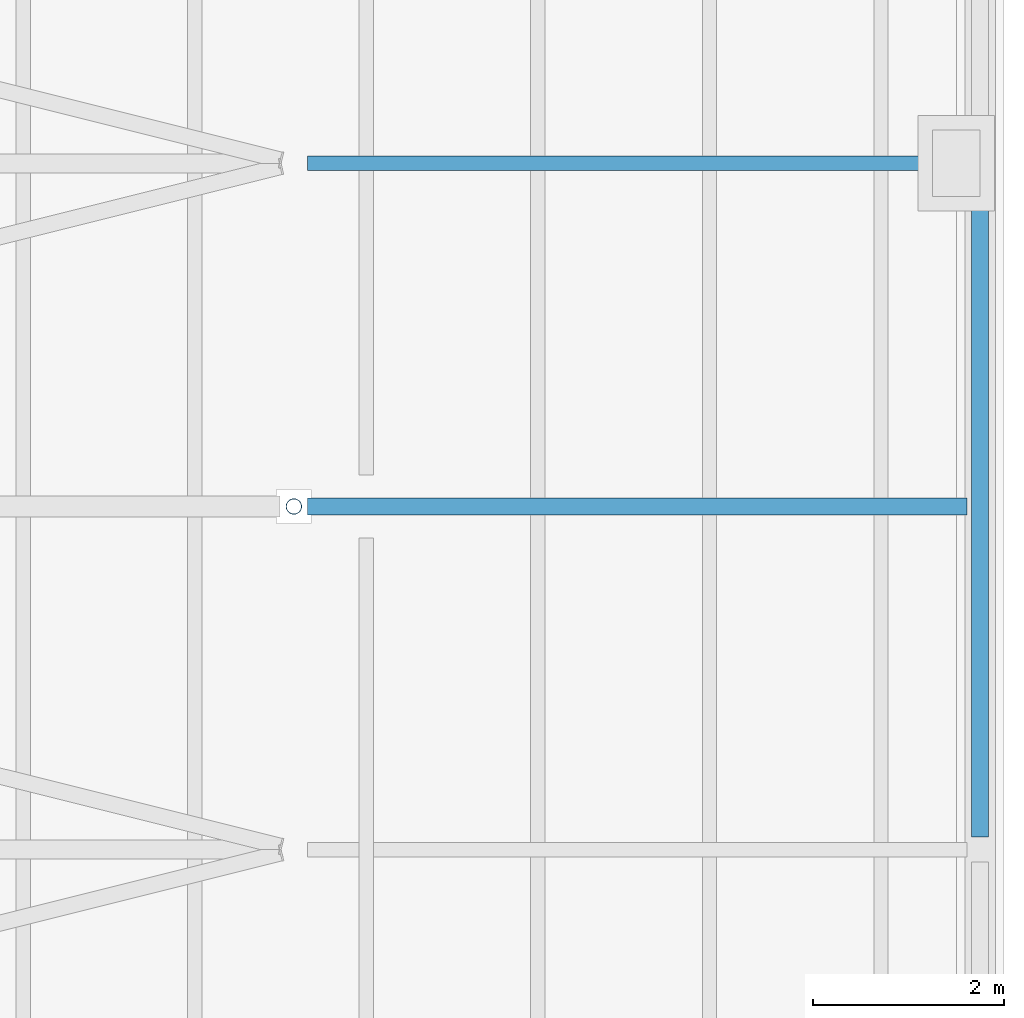
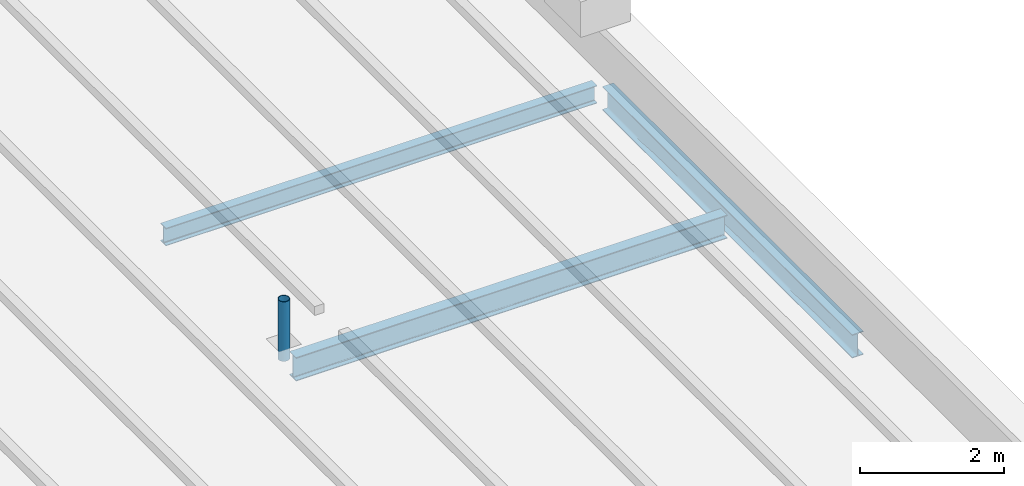
# One storey, part 56 of 120: 3 beams, 1 member.
"""IFC4 building model written with IfcOpenShell, lengths in metres."""

from ifc_helpers import new_model, si_unit, direction, frame, origin, origin_2d, place, context, subcontext, project, spatial, hollow_circle, i_section, extrude, material, material_profile, profile_set, type_object, element, save


model = new_model("IFC4")

# Units and contexts
model_context = context("Model", 3, precision=1e-05, world=origin(), true_north=direction((0.0, 1.0)))
body_context = subcontext(model_context, "Body", "Model", "MODEL_VIEW")
ifc_project = project(units=[si_unit("LENGTHUNIT", "METRE"), si_unit("AREAUNIT", "SQUARE_METRE"), si_unit("VOLUMEUNIT", "CUBIC_METRE"), si_unit("PLANEANGLEUNIT", "RADIAN"), si_unit("MASSUNIT", "GRAM", prefix="KILO")], contexts=[model_context])

# Site, building, storey
site_placement = place(None, origin())
site = spatial("IfcSite", under=ifc_project, at=site_placement, CompositionType="ELEMENT")
building_placement = place(site_placement, origin())
building = spatial("IfcBuilding", under=site, at=building_placement, Name="Kupolbacken Congress Centre", CompositionType="ELEMENT")
storey_placement = place(building_placement, frame((0.0, 0.0, 21.60009765625)))
storey = spatial("IfcBuildingStorey", under=building, at=storey_placement, Name="L06", CompositionType="ELEMENT", Elevation=21.60009765625)

# Beams
ifc_material_1 = material(Name="Steel S355", Category="steel")
ifc_material_profile_1 = material_profile(ifc_material_1, i_section(OverallWidth=0.14990234375, OverallDepth=0.300048828125, WebThickness=0.007080078125, FlangeThickness=0.0107421875, FilletRadius=0.014892578125, at=origin_2d()), Name="IPE 300")
ifc_profile_set_1 = profile_set([ifc_material_profile_1], Name="Steel S355")
beam_type_1 = type_object("IfcBeamType", Name="B04 beam IPE 300", PredefinedType="BEAM", material=ifc_profile_set_1)
beam_1_placement = place(storey_placement, frame((194.544921875, 100.800048828125, -0.150146484375), z_axis=(1.0, 0.0, 0.0), x_axis=(0.0, 1.0, 0.0)))
element("IfcBeam", 1, at=beam_1_placement, inside=storey, type_object=beam_type_1, Name="HR/P16-08", PredefinedType="BEAM", context=body_context, shape_type="SweptSolid", body=[
    extrude(i_section(OverallWidth=0.14990234375, OverallDepth=0.300048828125, WebThickness=0.007080078125, FlangeThickness=0.0107421875, FilletRadius=0.014892578125, at=origin_2d()), origin(), (0.0, 0.0, 1.0), 6.9150390625),
])
ifc_material_2 = material(Name="Steel S355", Category="steel")
ifc_material_profile_2 = material_profile(ifc_material_2, i_section(OverallWidth=0.179931640625, OverallDepth=0.39990234375, WebThickness=0.008544921875, FlangeThickness=0.013427734375, FilletRadius=0.02099609375, at=origin_2d()), Name="IPE 400")
ifc_profile_set_2 = profile_set([ifc_material_profile_2], Name="Steel S355")
beam_type_2 = type_object("IfcBeamType", Name="B07 beam IPE 400", PredefinedType="BEAM", material=ifc_profile_set_2)
beam_2_placement = place(storey_placement, frame((201.60009765625, 93.72998046875, -0.2001953125), z_axis=(0.0, 1.0, 0.0), x_axis=(-1.0, 0.0, 0.0)))
element("IfcBeam", 2, at=beam_2_placement, inside=storey, type_object=beam_type_2, Name="HR/GE08", PredefinedType="BEAM", context=body_context, shape_type="SweptSolid", body=[
    extrude(i_section(OverallWidth=0.179931640625, OverallDepth=0.39990234375, WebThickness=0.008544921875, FlangeThickness=0.013427734375, FilletRadius=0.02099609375, at=origin_2d()), origin(), (0.0, 0.0, 1.0), 6.93994140625),
])
beam_3_placement = place(storey_placement, frame((194.544921875, 97.199951171875, -0.2001953125), z_axis=(1.0, 0.0, 0.0), x_axis=(0.0, 1.0, 0.0)))
element("IfcBeam", 3, at=beam_3_placement, inside=storey, type_object=beam_type_2, Name="HR/X15-08", PredefinedType="BEAM", context=body_context, shape_type="SweptSolid", body=[
    extrude(i_section(OverallWidth=0.179931640625, OverallDepth=0.39990234375, WebThickness=0.008544921875, FlangeThickness=0.013427734375, FilletRadius=0.02099609375, at=origin_2d()), origin(), (0.0, 0.0, 1.0), 6.9150390625),
])

# Member
ifc_material_3 = material(Name="Steel S355", Category="steel")
ifc_material_profile_3 = material_profile(ifc_material_3, hollow_circle(Radius=0.084228515625, WallThickness=0.008056640625, at=origin_2d()), Name="CHS 168.3 x 8")
ifc_profile_set_3 = profile_set([ifc_material_profile_3], Name="Steel S355")
member_type = type_object("IfcMemberType", Name="M20 transfer truss post CHS 168.3 x 8", PredefinedType="STRUT", material=ifc_profile_set_3)
member_placement = place(storey_placement, frame((194.39990234375, 97.199951171875, -0.010009765625), z_axis=(0.0, 0.0, 1.0), x_axis=(1.0, 0.0, 0.0)))
element("IfcMember", 4, at=member_placement, inside=storey, type_object=member_type, Name="Roof stay anchor post M8N.1", PredefinedType="STRUT", context=body_context, shape_type="SweptSolid", body=[
    extrude(hollow_circle(Radius=0.084228515625, WallThickness=0.008056640625, at=origin_2d()), origin(), (0.0, 0.0, 1.0), 1.010009765625),
])

save(model, "model.ifc")
